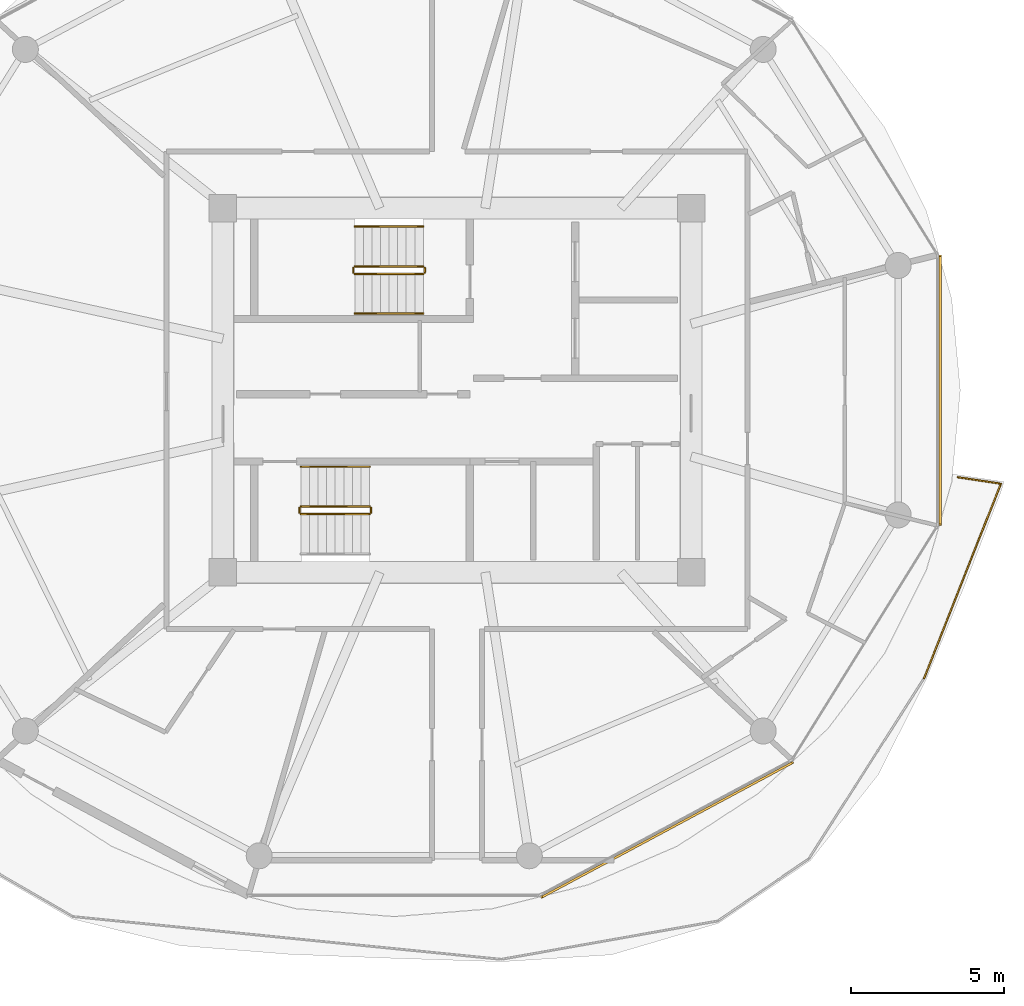
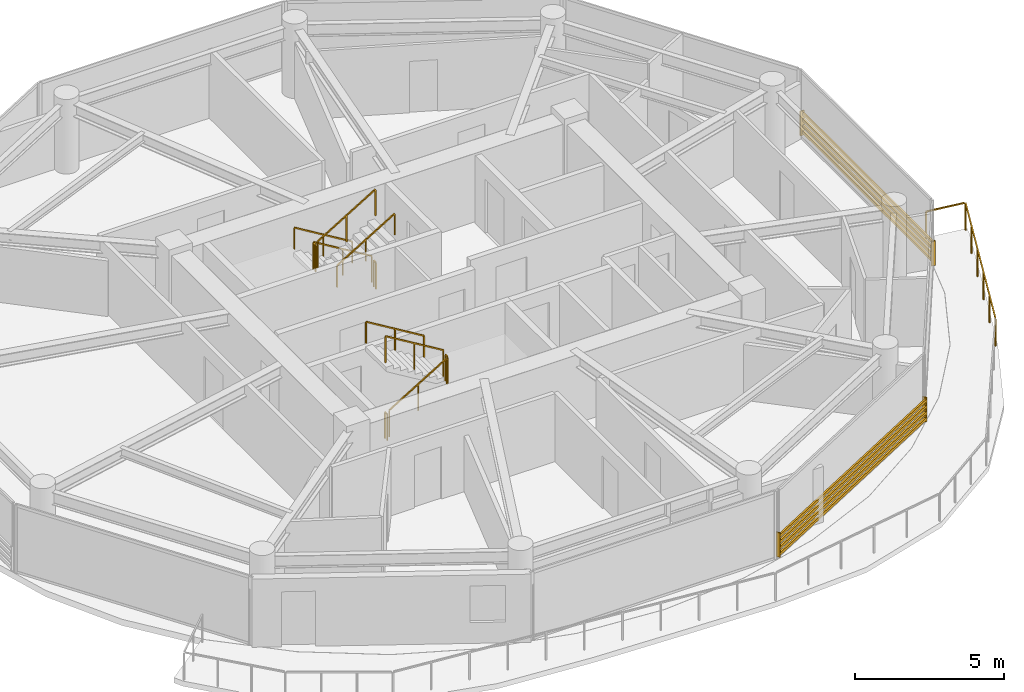
# One storey, part 23 of 24: 12 railings, 2 shading devices.
"""IFC4 building model written with IfcOpenShell, lengths in metres."""

import ifcopenshell
import ifcopenshell.guid

model = None  # the IFC model being written
_history = None  # IfcOwnerHistory: only IFC2X3 demands one
_inside = {}  # id of a spatial element -> (the spatial element, [elements in it])
_under = {}  # id of a project, library or spatial element -> (it, [spatial elements below it])
_declared = {}  # id of a project -> (the project, [libraries it declares])
_typed = {}  # id of a type object -> (the type object, [elements of that type])
_made_of = {}  # id of a material, layer set ... -> (it, [elements and type objects made of it])


def new_model(schema):
    """Start an empty IFC model of exactly this schema.

    Asked for "IFC4X3", IfcOpenShell would pick the latest addendum, in which some entities
    have other attributes; the version numbers below select the first issue.
    IFC2X3 requires an IfcOwnerHistory on every rooted entity: one is made here for all.
    """
    global model, _history
    if schema == "IFC4X3":
        model = ifcopenshell.file(schema_version=(4, 3, 0, 0))
    else:
        model = ifcopenshell.file(schema=schema)
    _inside.clear()
    _under.clear()
    _declared.clear()
    _typed.clear()
    _made_of.clear()
    _history = None
    if model.schema == "IFC2X3":
        org = make("IfcOrganization", Name="unknown")
        user = make(
            "IfcPersonAndOrganization",
            ThePerson=make("IfcPerson", FamilyName="unknown"),
            TheOrganization=org,
        )
        app = make(
            "IfcApplication",
            ApplicationDeveloper=org,
            Version="unknown",
            ApplicationFullName="unknown",
            ApplicationIdentifier="unknown",
        )
        _history = make(
            "IfcOwnerHistory",
            OwningUser=user,
            OwningApplication=app,
            ChangeAction="ADDED",
            CreationDate=0,
        )
    return model


def make(cls, **values):
    """One entity of the class cls with the attributes given. An attribute that is None is left unset."""
    return model.create_entity(
        cls, **{name: value for name, value in values.items() if value is not None}
    )


def rooted(cls, **values):
    """An entity with a GlobalId (a new one), such as an element, a storey or a relation."""
    return make(cls, GlobalId=ifcopenshell.guid.new(), OwnerHistory=_history, **values)


def si_unit(unit_type, name, prefix=None):
    """IfcSIUnit, for example si_unit("LENGTHUNIT", "METRE", prefix="MILLI")."""
    return make("IfcSIUnit", UnitType=unit_type, Prefix=prefix, Name=name)


def assignment(units):
    """IfcUnitAssignment: the units of a project."""
    return None if units is None else make("IfcUnitAssignment", Units=units)


def point(xyz):
    """IfcCartesianPoint."""
    return None if xyz is None else make("IfcCartesianPoint", Coordinates=xyz)


def direction(xyz):
    """IfcDirection."""
    return None if xyz is None else make("IfcDirection", DirectionRatios=xyz)


def frame(location, z_axis=None, x_axis=None):
    """IfcAxis2Placement3D, a coordinate frame: its origin and axes. An axis left out is left unset."""
    return make(
        "IfcAxis2Placement3D",
        Location=point(location),
        Axis=direction(z_axis),
        RefDirection=direction(x_axis),
    )


def frame_2d(location, x_axis=None):
    """IfcAxis2Placement2D, a coordinate frame in the plane: its origin and x axis."""
    return make(
        "IfcAxis2Placement2D", Location=point(location), RefDirection=direction(x_axis)
    )


def origin():
    """The frame at (0, 0, 0) with its axes left unset."""
    return frame((0.0, 0.0, 0.0))


def origin_2d():
    """The frame at (0, 0) in the plane with its x axis left unset."""
    return frame_2d((0.0, 0.0))


def place(relative_to, where):
    """IfcLocalPlacement: puts the frame where relative to a parent placement (None: the world)."""
    return make(
        "IfcLocalPlacement", PlacementRelTo=relative_to, RelativePlacement=where
    )


def context(
    kind, dimensions, precision=None, world=None, true_north=None, identifier=None
):
    """IfcGeometricRepresentationContext, for example the 3D "Model" context."""
    return make(
        "IfcGeometricRepresentationContext",
        ContextIdentifier=identifier,
        ContextType=kind,
        CoordinateSpaceDimension=dimensions,
        Precision=precision,
        WorldCoordinateSystem=world,
        TrueNorth=true_north,
    )


def subcontext(parent, identifier, kind, view, scale=None):
    """IfcGeometricRepresentationSubContext, for example "Body" below "Model"."""
    return make(
        "IfcGeometricRepresentationSubContext",
        ContextIdentifier=identifier,
        ContextType=kind,
        ParentContext=parent,
        TargetScale=scale,
        TargetView=view,
    )


def project(units=None, contexts=None):
    """IfcProject with its units and contexts."""
    return rooted(
        "IfcProject",
        Name="project",
        RepresentationContexts=contexts,
        UnitsInContext=assignment(units),
    )


def spatial(cls, under=None, at=None, **own):
    """A site, building, storey or space (cls), placed at a placement, below another one or the project."""
    s = rooted(cls, ObjectPlacement=at, **own)
    if under is not None:
        _under.setdefault(under.id(), (under, []))[1].append(s)
    return s


def profile(cls, at=None, kind="AREA", **sizes):
    """A parametric profile (cls). Its sizes go by their IFC names, for example OverallWidth=200.0."""
    return make(cls, ProfileType=kind, Position=at, **sizes)


def rectangle(**sizes):
    """IfcRectangleProfileDef."""
    return profile("IfcRectangleProfileDef", **sizes)


def extrude(swept, where, along, depth):
    """IfcExtrudedAreaSolid: the profile swept, set in the frame where, extruded along a direction by depth."""
    return make(
        "IfcExtrudedAreaSolid",
        SweptArea=swept,
        Position=where,
        ExtrudedDirection=direction(along),
        Depth=depth,
    )


def shape(context_of_items, identifier, shape_type, items):
    """IfcShapeRepresentation: the items that make up one representation, for example the "Body"."""
    return make(
        "IfcShapeRepresentation",
        ContextOfItems=context_of_items,
        RepresentationIdentifier=identifier,
        RepresentationType=shape_type,
        Items=items,
    )


def source(mapping_origin, context_of_items, identifier, shape_type, items):
    """IfcRepresentationMap: a shape defined once, which mapped items show again and again."""
    return make(
        "IfcRepresentationMap",
        MappingOrigin=mapping_origin,
        MappedRepresentation=shape(context_of_items, identifier, shape_type, items),
    )


def transform(
    local_origin,
    x_axis=None,
    y_axis=None,
    z_axis=None,
    scale=None,
    scale2=None,
    scale3=None,
    uniform=True,
):
    """IfcCartesianTransformationOperator3D, or its non-uniform kind. x_axis, y_axis, z_axis: its Axis1, 2, 3."""
    if uniform:
        return make(
            "IfcCartesianTransformationOperator3D",
            Axis1=direction(x_axis),
            Axis2=direction(y_axis),
            LocalOrigin=point(local_origin),
            Scale=scale,
            Axis3=direction(z_axis),
        )
    return make(
        "IfcCartesianTransformationOperator3DnonUniform",
        Axis1=direction(x_axis),
        Axis2=direction(y_axis),
        LocalOrigin=point(local_origin),
        Scale=scale,
        Axis3=direction(z_axis),
        Scale2=scale2,
        Scale3=scale3,
    )


def mapped(mapping_source, mapping_target):
    """IfcMappedItem: shows the shape of a source again, moved by a transform."""
    return make(
        "IfcMappedItem", MappingSource=mapping_source, MappingTarget=mapping_target
    )


def material(Name=None, Category=None):
    """IfcMaterial."""
    return make("IfcMaterial", Name=Name, Category=Category)


def made_of(thing, what):
    """Note that an element or type object is made of a material, layer set ...; save() writes the relation."""
    if what is not None:
        _made_of.setdefault(what.id(), (what, []))[1].append(thing)
    return thing


def type_object(cls, material=None, **own):
    """A type object (cls), such as IfcWallType, which elements share."""
    return made_of(rooted(cls, **own), material)


def type_shapes(of_type, sources):
    """Give a type object the sources (RepresentationMaps) that its elements show as mapped items."""
    of_type.RepresentationMaps = sources


def element(
    cls,
    number,
    at=None,
    inside=None,
    cuts=None,
    type_object=None,
    material=None,
    context=None,
    identifier="Body",
    shape_type=None,
    held_by="IfcProductDefinitionShape",
    body=None,
    shapes=None,
    **own,
):
    """One element of the class cls, such as IfcWall. Its Tag is "e" and its number.

    at: its placement. inside: the storey or other place that contains it. cuts: it is an
    opening in that element (IfcRelVoidsElement). A single representation is given by context,
    identifier, shape_type and body (its items); several are given by shapes. held_by: the class
    of the entity that holds the representations. save() writes the other relations.
    """
    e = rooted(cls, Tag="e%d" % number, ObjectPlacement=at, **own)
    if body is not None:
        shapes = [shape(context, identifier, shape_type, body)]
    if shapes is not None:
        e.Representation = make(held_by, Representations=shapes)
    if inside is not None:
        _inside.setdefault(inside.id(), (inside, []))[1].append(e)
    if cuts is not None:
        rooted(
            "IfcRelVoidsElement", RelatingBuildingElement=cuts, RelatedOpeningElement=e
        )
    if type_object is not None:
        _typed.setdefault(type_object.id(), (type_object, []))[1].append(e)
    return made_of(e, material)


def aggregate(whole, parts):
    """IfcRelAggregates: a whole, such as a stair, and the parts it consists of."""
    return rooted("IfcRelAggregates", RelatingObject=whole, RelatedObjects=parts)


def save(model, path):
    """Write the relations noted so far, then the file.

    IfcRelAggregates (storeys below a building ...), IfcRelContainedInSpatialStructure (elements
    in a storey), IfcRelDefinesByType, IfcRelAssociatesMaterial and IfcRelDeclares: one each for
    every whole, place, type object, material and project.
    """
    for whole, parts in _under.values():
        aggregate(whole, parts)
    for where, things in _inside.values():
        rooted(
            "IfcRelContainedInSpatialStructure",
            RelatedElements=things,
            RelatingStructure=where,
        )
    for kind, things in _typed.values():
        rooted("IfcRelDefinesByType", RelatedObjects=things, RelatingType=kind)
    for what, things in _made_of.values():
        rooted("IfcRelAssociatesMaterial", RelatedObjects=things, RelatingMaterial=what)
    for by, libraries in _declared.values():
        rooted("IfcRelDeclares", RelatingContext=by, RelatedDefinitions=libraries)
    model.write(path)


model = new_model("IFC4")

# Units and contexts
model_context = context("Model", 3, precision=1e-05, world=origin(), true_north=direction((0.0, 1.0)))
body_context = subcontext(model_context, "Body", "Model", "MODEL_VIEW")
ifc_project = project(units=[si_unit("LENGTHUNIT", "METRE"), si_unit("AREAUNIT", "SQUARE_METRE"), si_unit("VOLUMEUNIT", "CUBIC_METRE"), si_unit("PLANEANGLEUNIT", "RADIAN"), si_unit("MASSUNIT", "GRAM", prefix="KILO")], contexts=[model_context])

# Site, building, storey
site_placement = place(None, origin())
site = spatial("IfcSite", under=ifc_project, at=site_placement, CompositionType="ELEMENT")
building_placement = place(site_placement, origin())
building = spatial("IfcBuilding", under=site, at=building_placement, Name="Norrkilde Senior Care Towers", CompositionType="ELEMENT")
storey_placement = place(building_placement, frame((0.0, 0.0, 90.14990234375)))
storey = spatial("IfcBuildingStorey", under=building, at=storey_placement, Name="L27", CompositionType="ELEMENT", Elevation=90.14990234375)

# Railings
ifc_material_1 = material(Name="Anodised Aluminium", Category="aluminium")
railing_type_1 = type_object("IfcRailingType", Name="Balcony Swirl Ribbon Guardrail 1150", PredefinedType="GUARDRAIL", material=ifc_material_1)
railing_1_placement = place(storey_placement, frame((44.36328125, -2.842529296875, 0.0)))
element("IfcRailing", 1, at=railing_1_placement, inside=storey, type_object=railing_type_1, Name="L27 Perimeter Safety Guard 02", PredefinedType="GUARDRAIL", context=body_context, shape_type="SweptSolid", body=[
    extrude(rectangle(XDim=0.048095703125, YDim=0.048095703125, at=origin_2d()), frame((0.0, 0.0, 1.1259765625), z_axis=(0.988950160775, -0.148248370994, 0.0), x_axis=(0.148248370994, 0.988950160775, 0.0)), (0.0, 0.0, 1.0), 1.38525390625),
    extrude(rectangle(XDim=0.048095703125, YDim=0.048095703125, at=origin_2d()), frame((1.3955078125, -0.24951171875, 1.1259765625), z_axis=(-0.367145398833, -0.930163564173, 0.0), x_axis=(0.930163564173, -0.367145398833, 0.0)), (0.0, 0.0, 1.0), 6.797119140625),
    extrude(rectangle(XDim=0.0419921875, YDim=0.0419921875, at=origin_2d()), origin(), (0.0, 0.0, 1.0), 1.099853515625),
    extrude(rectangle(XDim=0.0419921875, YDim=0.0419921875, at=origin_2d()), frame((1.410400390625, -0.21142578125, 0.0)), (0.0, 0.0, 1.0), 1.099853515625),
    extrude(rectangle(XDim=0.0419921875, YDim=0.0419921875, at=origin_2d()), frame((0.908203125, -1.4833984375, 0.0)), (0.0, 0.0, 1.0), 1.099853515625),
    extrude(rectangle(XDim=0.0419921875, YDim=0.0419921875, at=origin_2d()), frame((0.40625, -2.755615234375, 0.0)), (0.0, 0.0, 1.0), 1.099853515625),
    extrude(rectangle(XDim=0.0419921875, YDim=0.0419921875, at=origin_2d()), frame((-0.095947265625, -4.027587890625, 0.0)), (0.0, 0.0, 1.0), 1.099853515625),
    extrude(rectangle(XDim=0.0419921875, YDim=0.0419921875, at=origin_2d()), frame((-0.597900390625, -5.2998046875, 0.0)), (0.0, 0.0, 1.0), 1.099853515625),
    extrude(rectangle(XDim=0.0419921875, YDim=0.0419921875, at=origin_2d()), frame((-1.10009765625, -6.57177734375, 0.0)), (0.0, 0.0, 1.0), 1.099853515625),
])
ifc_material_2 = material(Name="Stainless Steel", Category="steel")
railing_type_2 = type_object("IfcRailingType", Name="Stair and Terrace Guardrail 1100", PredefinedType="GUARDRAIL", material=ifc_material_2)
railing_2_placement = place(storey_placement, frame((26.89990234375, 4.050048828125, 0.16943359375)))
element("IfcRailing", 2, at=railing_2_placement, inside=storey, type_object=railing_type_2, Name="L27 ST-E1 stair guard 1", PredefinedType="GUARDRAIL", context=body_context, shape_type="SweptSolid", body=[
    extrude(rectangle(XDim=0.048095703125, YDim=0.048095703125, at=origin_2d()), frame((0.0, 0.0, 1.076171875), z_axis=(-0.855512035549, 0.0, 0.517782924622), x_axis=(0.0, -1.0, 0.0)), (0.0, 0.0, 1.0), 2.618408203125),
    extrude(rectangle(XDim=0.0419921875, YDim=0.0419921875, at=origin_2d()), origin(), (0.0, 0.0, 1.0), 1.050048828125),
    extrude(rectangle(XDim=0.0419921875, YDim=0.0419921875, at=origin_2d()), frame((-1.1201171875, 0.0, 0.677734375)), (0.0, 0.0, 1.0), 1.050048828125),
    extrude(rectangle(XDim=0.0419921875, YDim=0.0419921875, at=origin_2d()), frame((-2.239990234375, 0.0, 1.355712890625)), (0.0, 0.0, 1.0), 1.050048828125),
])
railing_3_placement = place(storey_placement, frame((24.610107421875, 4.0, 1.525146484375)))
element("IfcRailing", 3, at=railing_3_placement, inside=storey, type_object=railing_type_2, Name="L27 ST-E1 stair guard 2", PredefinedType="GUARDRAIL", context=body_context, shape_type="SweptSolid", body=[
    extrude(rectangle(XDim=0.048095703125, YDim=0.048095703125, at=origin_2d()), frame((0.0, 0.0, 1.076171875), z_axis=(0.0, -1.0, 0.0), x_axis=(1.0, 0.0, 0.0)), (0.0, 0.0, 1.0), 0.14990234375),
    extrude(rectangle(XDim=0.0419921875, YDim=0.0419921875, at=origin_2d()), origin(), (0.0, 0.0, 1.0), 1.050048828125),
    extrude(rectangle(XDim=0.0419921875, YDim=0.0419921875, at=origin_2d()), frame((0.0, -0.14990234375, 0.0)), (0.0, 0.0, 1.0), 1.050048828125),
])
railing_4_placement = place(storey_placement, frame((24.659912109375, 3.800048828125, 1.694580078125)))
element("IfcRailing", 4, at=railing_4_placement, inside=storey, type_object=railing_type_2, Name="L27 ST-E1 stair guard 3", PredefinedType="GUARDRAIL", context=body_context, shape_type="SweptSolid", body=[
    extrude(rectangle(XDim=0.048095703125, YDim=0.048095703125, at=origin_2d()), frame((0.0, 0.0, 1.076171875), z_axis=(0.855553338991, 0.0, 0.51771467445), x_axis=(0.0, 1.0, 0.0)), (0.0, 0.0, 1.0), 2.6181640625),
    extrude(rectangle(XDim=0.0419921875, YDim=0.0419921875, at=origin_2d()), origin(), (0.0, 0.0, 1.0), 1.050048828125),
    extrude(rectangle(XDim=0.0419921875, YDim=0.0419921875, at=origin_2d()), frame((1.1201171875, 0.0, 0.677734375)), (0.0, 0.0, 1.0), 1.050048828125),
    extrude(rectangle(XDim=0.0419921875, YDim=0.0419921875, at=origin_2d()), frame((2.239990234375, 0.0, 1.35546875)), (0.0, 0.0, 1.0), 1.050048828125),
])
railing_5_placement = place(storey_placement, frame((26.949951171875, 4.0, 0.0)))
element("IfcRailing", 5, at=railing_5_placement, inside=storey, type_object=railing_type_2, Name="L27 ST-E1 stair guard 4", PredefinedType="GUARDRAIL", context=body_context, shape_type="SweptSolid", body=[
    extrude(rectangle(XDim=0.048095703125, YDim=0.048095703125, at=origin_2d()), frame((0.0, 0.0, 1.076171875), z_axis=(0.0, -1.0, 0.0), x_axis=(1.0, 0.0, 0.0)), (0.0, 0.0, 1.0), 0.14990234375),
    extrude(rectangle(XDim=0.0419921875, YDim=0.0419921875, at=origin_2d()), origin(), (0.0, 0.0, 1.0), 1.050048828125),
    extrude(rectangle(XDim=0.0419921875, YDim=0.0419921875, at=origin_2d()), frame((0.0, -0.14990234375, 0.0)), (0.0, 0.0, 1.0), 1.050048828125),
])
railing_6_placement = place(storey_placement, frame((22.89990234375, -4.050048828125, 0.16943359375)))
element("IfcRailing", 6, at=railing_6_placement, inside=storey, type_object=railing_type_2, Name="L27 ST-E2 stair guard 1", PredefinedType="GUARDRAIL", context=body_context, shape_type="SweptSolid", body=[
    extrude(rectangle(XDim=0.048095703125, YDim=0.048095703125, at=origin_2d()), frame((0.0, 0.0, 1.076171875), z_axis=(0.855512035549, 0.0, 0.517782924622), x_axis=(0.0, 1.0, 0.0)), (0.0, 0.0, 1.0), 2.618408203125),
    extrude(rectangle(XDim=0.0419921875, YDim=0.0419921875, at=origin_2d()), origin(), (0.0, 0.0, 1.0), 1.050048828125),
    extrude(rectangle(XDim=0.0419921875, YDim=0.0419921875, at=origin_2d()), frame((1.1201171875, 0.0, 0.677734375)), (0.0, 0.0, 1.0), 1.050048828125),
    extrude(rectangle(XDim=0.0419921875, YDim=0.0419921875, at=origin_2d()), frame((2.239990234375, 0.0, 1.355712890625)), (0.0, 0.0, 1.0), 1.050048828125),
])
railing_7_placement = place(storey_placement, frame((25.18994140625, -4.0, 1.525146484375)))
element("IfcRailing", 7, at=railing_7_placement, inside=storey, type_object=railing_type_2, Name="L27 ST-E2 stair guard 2", PredefinedType="GUARDRAIL", context=body_context, shape_type="SweptSolid", body=[
    extrude(rectangle(XDim=0.048095703125, YDim=0.048095703125, at=origin_2d()), frame((0.0, 0.0, 1.076171875), z_axis=(0.0, 1.0, 0.0), x_axis=(-1.0, 0.0, 0.0)), (0.0, 0.0, 1.0), 0.14990234375),
    extrude(rectangle(XDim=0.0419921875, YDim=0.0419921875, at=origin_2d()), origin(), (0.0, 0.0, 1.0), 1.050048828125),
    extrude(rectangle(XDim=0.0419921875, YDim=0.0419921875, at=origin_2d()), frame((0.0, 0.14990234375, 0.0)), (0.0, 0.0, 1.0), 1.050048828125),
])
railing_8_placement = place(storey_placement, frame((25.139892578125, -3.800048828125, 1.694580078125)))
element("IfcRailing", 8, at=railing_8_placement, inside=storey, type_object=railing_type_2, Name="L27 ST-E2 stair guard 3", PredefinedType="GUARDRAIL", context=body_context, shape_type="SweptSolid", body=[
    extrude(rectangle(XDim=0.048095703125, YDim=0.048095703125, at=origin_2d()), frame((0.0, 0.0, 1.076171875), z_axis=(-0.855553338991, 0.0, 0.51771467445), x_axis=(0.0, -1.0, 0.0)), (0.0, 0.0, 1.0), 2.6181640625),
    extrude(rectangle(XDim=0.0419921875, YDim=0.0419921875, at=origin_2d()), origin(), (0.0, 0.0, 1.0), 1.050048828125),
    extrude(rectangle(XDim=0.0419921875, YDim=0.0419921875, at=origin_2d()), frame((-1.1201171875, 0.0, 0.677734375)), (0.0, 0.0, 1.0), 1.050048828125),
    extrude(rectangle(XDim=0.0419921875, YDim=0.0419921875, at=origin_2d()), frame((-2.239990234375, 0.0, 1.35546875)), (0.0, 0.0, 1.0), 1.050048828125),
])
railing_9_placement = place(storey_placement, frame((22.85009765625, -4.0, 0.0)))
element("IfcRailing", 9, at=railing_9_placement, inside=storey, type_object=railing_type_2, Name="L27 ST-E2 stair guard 4", PredefinedType="GUARDRAIL", context=body_context, shape_type="SweptSolid", body=[
    extrude(rectangle(XDim=0.048095703125, YDim=0.048095703125, at=origin_2d()), frame((0.0, 0.0, 1.076171875), z_axis=(0.0, 1.0, 0.0), x_axis=(-1.0, 0.0, 0.0)), (0.0, 0.0, 1.0), 0.14990234375),
    extrude(rectangle(XDim=0.0419921875, YDim=0.0419921875, at=origin_2d()), origin(), (0.0, 0.0, 1.0), 1.050048828125),
    extrude(rectangle(XDim=0.0419921875, YDim=0.0419921875, at=origin_2d()), frame((0.0, 0.14990234375, 0.0)), (0.0, 0.0, 1.0), 1.050048828125),
])
ifc_material_3 = material(Name="Nordic Ash Timber", Category="wood")
railing_type_3 = type_object("IfcRailingType", Name="Wall and Stair Handrail 900", PredefinedType="HANDRAIL", material=ifc_material_3)
railing_10_placement = place(storey_placement, frame((26.89990234375, 5.35009765625, 0.16943359375)))
element("IfcRailing", 10, at=railing_10_placement, inside=storey, type_object=railing_type_3, Name="L27 ST-E1 stair handrail 1", PredefinedType="HANDRAIL", context=body_context, shape_type="SweptSolid", body=[
    extrude(rectangle(XDim=0.048095703125, YDim=0.048095703125, at=origin_2d()), frame((0.0, 0.0, 0.8759765625), z_axis=(-0.855512035549, 0.0, 0.517782924622), x_axis=(0.0, -1.0, 0.0)), (0.0, 0.0, 1.0), 2.618408203125),
    extrude(rectangle(XDim=0.0419921875, YDim=0.0419921875, at=origin_2d()), origin(), (0.0, 0.0, 1.0), 0.849853515625),
    extrude(rectangle(XDim=0.0419921875, YDim=0.0419921875, at=origin_2d()), frame((-1.1201171875, 0.0, 0.677734375)), (0.0, 0.0, 1.0), 0.849853515625),
    extrude(rectangle(XDim=0.0419921875, YDim=0.0419921875, at=origin_2d()), frame((-2.239990234375, 0.0, 1.355712890625)), (0.0, 0.0, 1.0), 0.849853515625),
])
railing_11_placement = place(storey_placement, frame((24.659912109375, 2.5, 1.694580078125)))
element("IfcRailing", 11, at=railing_11_placement, inside=storey, type_object=railing_type_3, Name="L27 ST-E1 stair handrail 2", PredefinedType="HANDRAIL", context=body_context, shape_type="SweptSolid", body=[
    extrude(rectangle(XDim=0.048095703125, YDim=0.048095703125, at=origin_2d()), frame((0.0, 0.0, 0.8759765625), z_axis=(0.855553338991, 0.0, 0.51771467445), x_axis=(0.0, 1.0, 0.0)), (0.0, 0.0, 1.0), 2.6181640625),
    extrude(rectangle(XDim=0.0419921875, YDim=0.0419921875, at=origin_2d()), origin(), (0.0, 0.0, 1.0), 0.849853515625),
    extrude(rectangle(XDim=0.0419921875, YDim=0.0419921875, at=origin_2d()), frame((1.1201171875, 0.0, 0.677734375)), (0.0, 0.0, 1.0), 0.849853515625),
    extrude(rectangle(XDim=0.0419921875, YDim=0.0419921875, at=origin_2d()), frame((2.239990234375, 0.0, 1.35546875)), (0.0, 0.0, 1.0), 0.849853515625),
])
railing_12_placement = place(storey_placement, frame((25.139892578125, -2.5, 1.694580078125)))
element("IfcRailing", 12, at=railing_12_placement, inside=storey, type_object=railing_type_3, Name="L27 ST-E2 stair handrail 2", PredefinedType="HANDRAIL", context=body_context, shape_type="SweptSolid", body=[
    extrude(rectangle(XDim=0.048095703125, YDim=0.048095703125, at=origin_2d()), frame((0.0, 0.0, 0.8759765625), z_axis=(-0.855553338991, 0.0, 0.51771467445), x_axis=(0.0, -1.0, 0.0)), (0.0, 0.0, 1.0), 2.6181640625),
    extrude(rectangle(XDim=0.0419921875, YDim=0.0419921875, at=origin_2d()), origin(), (0.0, 0.0, 1.0), 0.849853515625),
    extrude(rectangle(XDim=0.0419921875, YDim=0.0419921875, at=origin_2d()), frame((-1.1201171875, 0.0, 0.677734375)), (0.0, 0.0, 1.0), 0.849853515625),
    extrude(rectangle(XDim=0.0419921875, YDim=0.0419921875, at=origin_2d()), frame((-2.239990234375, 0.0, 1.35546875)), (0.0, 0.0, 1.0), 0.849853515625),
])

# Shading devices
ifc_material_4 = material(Name="Architectural Terracotta", Category="masonry")
shading_device_type = type_object("IfcShadingDeviceType", Name="Horizontal Terracotta Baguette Rack", PredefinedType="USERDEFINED", material=ifc_material_4)
shared_shape_1 = source(origin(), body_context, "Body", "SweptSolid", [
    extrude(rectangle(XDim=0.070068359375, YDim=0.110107421875, at=origin_2d()), frame((0.0, 0.090087890625, 0.125), z_axis=(1.0, 0.0, 0.0), x_axis=(0.0, 1.0, 0.0)), (0.0, 0.0, 1.0), 9.3505859375),
    extrude(rectangle(XDim=0.070068359375, YDim=0.110107421875, at=origin_2d()), frame((0.0, 0.090087890625, 0.375), z_axis=(1.0, 0.0, 0.0), x_axis=(0.0, 1.0, 0.0)), (0.0, 0.0, 1.0), 9.3505859375),
    extrude(rectangle(XDim=0.070068359375, YDim=0.110107421875, at=origin_2d()), frame((0.0, 0.090087890625, 0.625), z_axis=(1.0, 0.0, 0.0), x_axis=(0.0, 1.0, 0.0)), (0.0, 0.0, 1.0), 9.3505859375),
    extrude(rectangle(XDim=0.070068359375, YDim=0.110107421875, at=origin_2d()), frame((0.0, 0.090087890625, 0.875), z_axis=(1.0, 0.0, 0.0), x_axis=(0.0, 1.0, 0.0)), (0.0, 0.0, 1.0), 9.3505859375),
    extrude(rectangle(XDim=0.050048828125, YDim=0.1552734375, at=origin_2d()), frame((0.02490234375, 0.047607421875, 0.0)), (0.0, 0.0, 1.0), 1.0),
    extrude(rectangle(XDim=0.050048828125, YDim=0.1552734375, at=origin_2d()), frame((9.32568359375, 0.047607421875, 0.0)), (0.0, 0.0, 1.0), 1.0),
])
shading_device_1_placement = place(storey_placement, frame((38.946533203125, -12.077392578125, 0.080078125), z_axis=(0.0, 0.0, 1.0), x_axis=(-0.881174934726, -0.472767624021, 0.0)))
element("IfcShadingDevice", 13, at=shading_device_1_placement, inside=storey, type_object=shading_device_type, Name="L27 Drum E Terracotta Baguette Screen 09", ObjectType="BAGUETTE", PredefinedType="USERDEFINED", context=body_context, shape_type="MappedRepresentation", body=[
    mapped(shared_shape_1, transform((0.0, 0.0, 0.0), x_axis=(1.0, 0.0, 0.0), y_axis=(0.0, 1.0, 0.0), z_axis=(0.0, 0.0, 1.0), scale=1.0)),
])
shared_shape_2 = source(origin(), body_context, "Body", "SweptSolid", [
    extrude(rectangle(XDim=0.070068359375, YDim=0.110107421875, at=origin_2d()), frame((0.0, 0.090087890625, 0.125), z_axis=(1.0, 0.0, 0.0), x_axis=(0.0, 1.0, 0.0)), (0.0, 0.0, 1.0), 8.84130859375),
    extrude(rectangle(XDim=0.070068359375, YDim=0.110107421875, at=origin_2d()), frame((0.0, 0.090087890625, 0.375), z_axis=(1.0, 0.0, 0.0), x_axis=(0.0, 1.0, 0.0)), (0.0, 0.0, 1.0), 8.84130859375),
    extrude(rectangle(XDim=0.070068359375, YDim=0.110107421875, at=origin_2d()), frame((0.0, 0.090087890625, 0.625), z_axis=(1.0, 0.0, 0.0), x_axis=(0.0, 1.0, 0.0)), (0.0, 0.0, 1.0), 8.84130859375),
    extrude(rectangle(XDim=0.070068359375, YDim=0.110107421875, at=origin_2d()), frame((0.0, 0.090087890625, 0.875), z_axis=(1.0, 0.0, 0.0), x_axis=(0.0, 1.0, 0.0)), (0.0, 0.0, 1.0), 8.84130859375),
    extrude(rectangle(XDim=0.050048828125, YDim=0.1552734375, at=origin_2d()), frame((0.02490234375, 0.047607421875, 0.0)), (0.0, 0.0, 1.0), 1.0),
    extrude(rectangle(XDim=0.050048828125, YDim=0.1552734375, at=origin_2d()), frame((8.81640625, 0.047607421875, 0.0)), (0.0, 0.0, 1.0), 1.0),
])
type_shapes(shading_device_type, [shared_shape_1, shared_shape_2])
shading_device_2_placement = place(storey_placement, frame((43.70361328125, 4.420654296875, 0.080078125), z_axis=(0.0, 0.0, 1.0), x_axis=(0.0, -1.0, 0.0)))
element("IfcShadingDevice", 14, at=shading_device_2_placement, inside=storey, type_object=shading_device_type, Name="L27 Drum E Terracotta Baguette Screen 11", ObjectType="BAGUETTE", PredefinedType="USERDEFINED", context=body_context, shape_type="MappedRepresentation", body=[
    mapped(shared_shape_2, transform((0.0, 0.0, 0.0), x_axis=(1.0, 0.0, 0.0), y_axis=(0.0, 1.0, 0.0), z_axis=(0.0, 0.0, 1.0), scale=1.0)),
])

save(model, "model.ifc")
